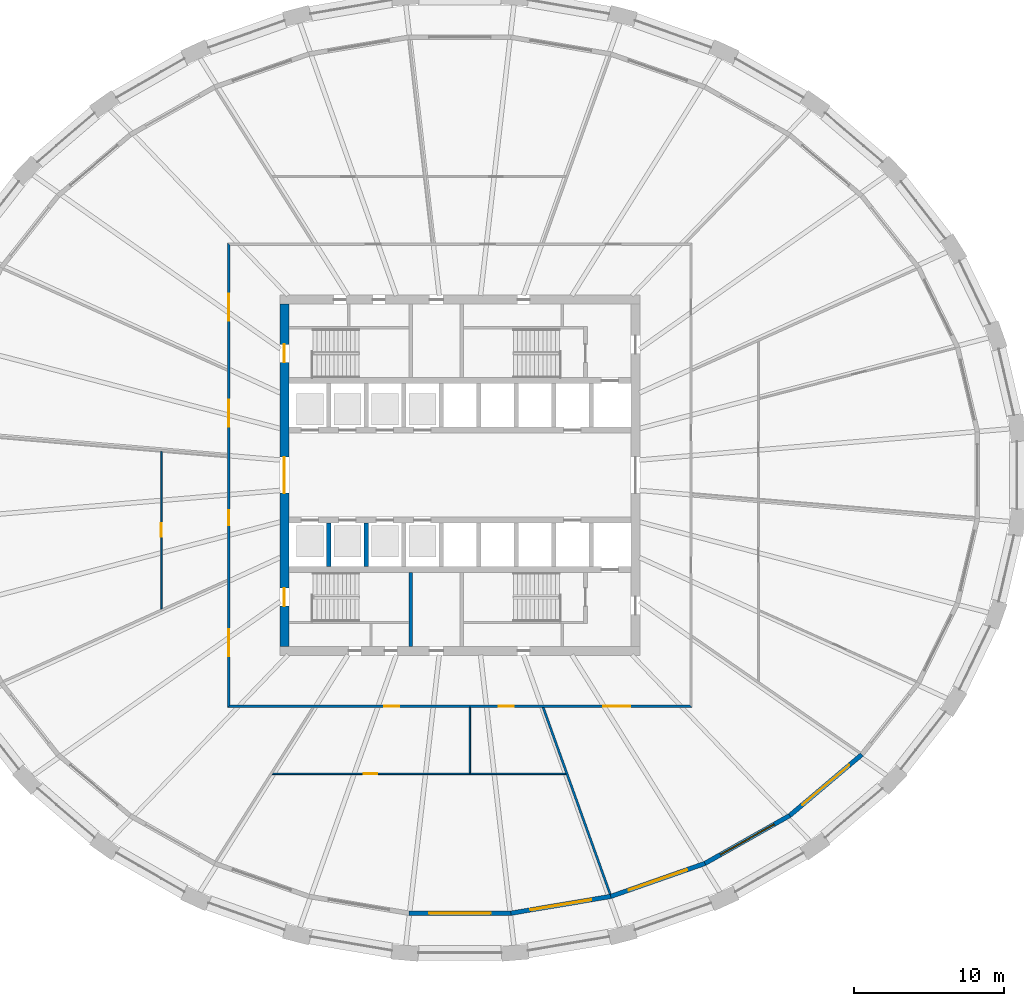
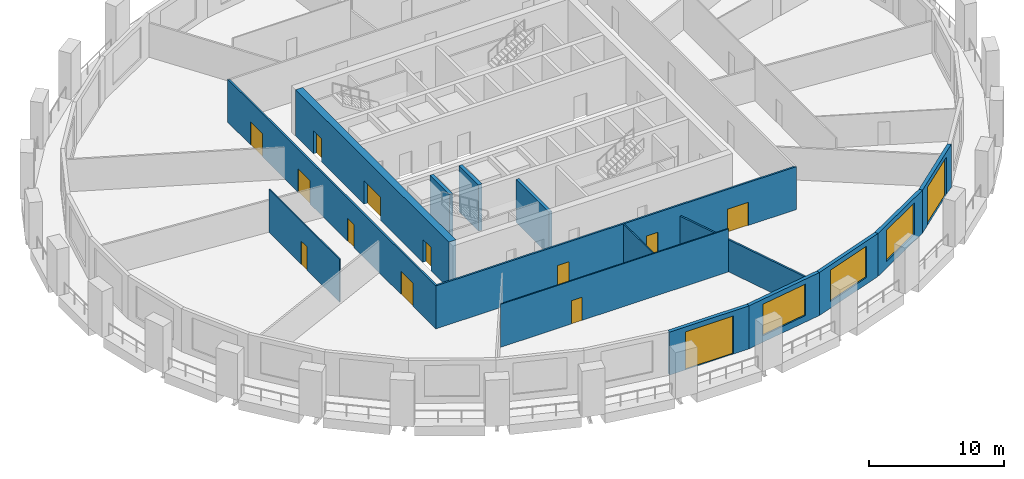
# One storey, part 3 of 10: 15 walls, 14 doors, 3 windows, 17 openings.
"""IFC4 building model written with IfcOpenShell, lengths in metres."""

from ifc_helpers import new_model, si_unit, direction, frame, frame_2d, origin, place, context, subcontext, project, spatial, polyline, rectangle, outline, extrude, material, layer, layer_set, type_object, element, fill, save


model = new_model("IFC4")

# Units and contexts
model_context = context("Model", 3, precision=1e-05, world=origin(), true_north=direction((0.0, 1.0)))
body_context = subcontext(model_context, "Body", "Model", "MODEL_VIEW")
ifc_project = project(units=[si_unit("LENGTHUNIT", "METRE"), si_unit("AREAUNIT", "SQUARE_METRE"), si_unit("VOLUMEUNIT", "CUBIC_METRE"), si_unit("PLANEANGLEUNIT", "RADIAN"), si_unit("MASSUNIT", "GRAM", prefix="KILO")], contexts=[model_context])

# Site, building, storey
site_placement = place(None, origin())
site = spatial("IfcSite", under=ifc_project, at=site_placement, CompositionType="ELEMENT")
building_placement = place(site_placement, origin())
building = spatial("IfcBuilding", under=site, at=building_placement, Name="Halqa Exchange Tower", CompositionType="ELEMENT")
storey_placement = place(building_placement, frame((0.0, 0.0, 52.89990234375)))
storey = spatial("IfcBuildingStorey", under=building, at=storey_placement, Name="L11", CompositionType="ELEMENT", Elevation=52.89990234375)

# Wall, openings, doors
ifc_material_1 = material(Name="Fire-rated gypsum board")
ifc_layer_1 = layer(ifc_material_1, 0.14990234375)
ifc_layer_set_1 = layer_set([ifc_layer_1], Name="Fire-rated gypsum board")
wall_type_1 = type_object("IfcWallType", Name="Fire partition EI 60 150", PredefinedType="PARTITIONING", material=ifc_layer_set_1)
wall_1_placement = place(storey_placement, frame((-15.39990234375, -15.47509765625, 0.0), z_axis=(0.0, 0.0, 1.0), x_axis=(0.0, 1.0, 0.0)))
wall_1 = element("IfcWall", 1, at=wall_1_placement, inside=storey, type_object=wall_type_1, Name="L11-PWL-006", PredefinedType="PARTITIONING", context=body_context, shape_type="SweptSolid", body=[
    extrude(outline(polyline([(0.150146484375, -0.074951171875), (2.065673828125, -0.074951171875), (3.9814453125, -0.074951171875), (5.89697265625, -0.074951171875), (7.8125, -0.074951171875), (9.728271484375, -0.074951171875), (11.643798828125, -0.074951171875), (13.5595703125, -0.074951171875), (15.47509765625, -0.074951171875), (17.390625, -0.074951171875), (19.306396484375, -0.074951171875), (21.221923828125, -0.074951171875), (23.1376953125, -0.074951171875), (25.05322265625, -0.074951171875), (26.96875, -0.074951171875), (28.884521484375, -0.074951171875), (30.800048828125, -0.074951171875), (30.949951171875, 0.074951171875), (29.015625, 0.074951171875), (27.081298828125, 0.074951171875), (25.14697265625, 0.074951171875), (23.21240234375, 0.074951171875), (21.278076171875, 0.074951171875), (19.34375, 0.074951171875), (17.409423828125, 0.074951171875), (15.47509765625, 0.074951171875), (13.540771484375, 0.074951171875), (11.6064453125, 0.074951171875), (9.672119140625, 0.074951171875), (7.73779296875, 0.074951171875), (5.80322265625, 0.074951171875), (3.868896484375, 0.074951171875), (1.9345703125, 0.074951171875), (0.000244140625, 0.074951171875), (0.150146484375, -0.074951171875)])), origin(), (0.0, 0.0, 1.0), 3.900146484375),
])
opening_1_placement = place(wall_1_placement, frame((25.7548828125, 0.0, 0.0)))
opening_1 = element("IfcOpeningElement", 2, at=opening_1_placement, cuts=wall_1, Name="Opening 03-03", PredefinedType="OPENING", context=body_context, shape_type="SweptSolid", body=[
    extrude(rectangle(XDim=1.800048828125, YDim=2.10009765625, at=frame_2d((0.89990234375, 1.050048828125))), frame((0.0, 0.0869140625, 0.0), z_axis=(0.0, -1.0, 0.0), x_axis=(1.0, 0.0, 0.0)), (0.0, 0.0, 1.0), 0.173828125),
])
opening_2_placement = place(wall_1_placement, frame((18.695068359375, 0.0, 0.0)))
opening_2 = element("IfcOpeningElement", 3, at=opening_2_placement, cuts=wall_1, Name="Opening 03-04", PredefinedType="OPENING", context=body_context, shape_type="SweptSolid", body=[
    extrude(rectangle(XDim=1.800048828125, YDim=2.10009765625, at=frame_2d((0.89990234375, 1.050048828125))), frame((0.0, 0.0869140625, 0.0), z_axis=(0.0, -1.0, 0.0), x_axis=(1.0, 0.0, 0.0)), (0.0, 0.0, 1.0), 0.173828125),
])
opening_3_placement = place(wall_1_placement, frame((12.135009765625, 0.0, 0.0)))
opening_3 = element("IfcOpeningElement", 4, at=opening_3_placement, cuts=wall_1, Name="Opening 03-05", PredefinedType="OPENING", context=body_context, shape_type="SweptSolid", body=[
    extrude(rectangle(XDim=1.0, YDim=2.10009765625, at=frame_2d((0.5, 1.050048828125))), frame((0.0, 0.0869140625, 0.0), z_axis=(0.0, -1.0, 0.0), x_axis=(1.0, 0.0, 0.0)), (0.0, 0.0, 1.0), 0.173828125),
])
opening_4_placement = place(wall_1_placement, frame((3.39501953125, 0.0, 0.0)))
opening_4 = element("IfcOpeningElement", 5, at=opening_4_placement, cuts=wall_1, Name="Opening 03-06", PredefinedType="OPENING", context=body_context, shape_type="SweptSolid", body=[
    extrude(rectangle(XDim=1.800048828125, YDim=2.10009765625, at=frame_2d((0.89990234375, 1.050048828125))), frame((0.0, 0.0869140625, 0.0), z_axis=(0.0, -1.0, 0.0), x_axis=(1.0, 0.0, 0.0)), (0.0, 0.0, 1.0), 0.173828125),
])
ifc_material_2 = material(Name="Steel fire door leaf", Category="steel")
door_type_1 = type_object("IfcDoorType", Name="Fire door FD30S 1000 x 2100", OperationType="SINGLE_SWING_LEFT", PredefinedType="DOOR", material=ifc_material_2)
door_1_placement = place(opening_3_placement, origin())
door_1 = element("IfcDoor", 6, at=door_1_placement, inside=storey, type_object=door_type_1, Name="L11-IDR-005", OperationType="SINGLE_SWING_LEFT", OverallHeight=2.10009765625, OverallWidth=1.0, PredefinedType="DOOR", context=body_context, shape_type="SweptSolid", body=[
    extrude(rectangle(XDim=1.0, YDim=2.10009765625, at=frame_2d((0.5, 1.050048828125))), frame((0.0, 0.02490234375, 0.0), z_axis=(0.0, -1.0, 0.0), x_axis=(1.0, 0.0, 0.0)), (0.0, 0.0, 1.0), 0.050048828125),
])
fill(opening_3, door_1)
door_type_2 = type_object("IfcDoorType", Name="Fire door FD30S double 1800 x 2100", OperationType="DOUBLE_DOOR_SINGLE_SWING", PredefinedType="DOOR", material=ifc_material_2)
door_2_placement = place(opening_1_placement, origin())
door_2 = element("IfcDoor", 7, at=door_2_placement, inside=storey, type_object=door_type_2, Name="L11-IDR-003", OperationType="DOUBLE_DOOR_SINGLE_SWING", OverallHeight=2.10009765625, OverallWidth=1.800048828125, PredefinedType="DOOR", context=body_context, shape_type="SweptSolid", body=[
    extrude(rectangle(XDim=1.800048828125, YDim=2.10009765625, at=frame_2d((0.89990234375, 1.050048828125))), frame((0.0, 0.02490234375, 0.0), z_axis=(0.0, -1.0, 0.0), x_axis=(1.0, 0.0, 0.0)), (0.0, 0.0, 1.0), 0.050048828125),
])
fill(opening_1, door_2)
door_3_placement = place(opening_2_placement, origin())
door_3 = element("IfcDoor", 8, at=door_3_placement, inside=storey, type_object=door_type_2, Name="L11-IDR-004", OperationType="DOUBLE_DOOR_SINGLE_SWING", OverallHeight=2.10009765625, OverallWidth=1.800048828125, PredefinedType="DOOR", context=body_context, shape_type="SweptSolid", body=[
    extrude(rectangle(XDim=1.800048828125, YDim=2.10009765625, at=frame_2d((0.89990234375, 1.050048828125))), frame((0.0, 0.02490234375, 0.0), z_axis=(0.0, -1.0, 0.0), x_axis=(1.0, 0.0, 0.0)), (0.0, 0.0, 1.0), 0.050048828125),
])
fill(opening_2, door_3)
door_4_placement = place(opening_4_placement, origin())
door_4 = element("IfcDoor", 9, at=door_4_placement, inside=storey, type_object=door_type_2, Name="L11-IDR-006", OperationType="DOUBLE_DOOR_SINGLE_SWING", OverallHeight=2.10009765625, OverallWidth=1.800048828125, PredefinedType="DOOR", context=body_context, shape_type="SweptSolid", body=[
    extrude(rectangle(XDim=1.800048828125, YDim=2.10009765625, at=frame_2d((0.89990234375, 1.050048828125))), frame((0.0, 0.02490234375, 0.0), z_axis=(0.0, -1.0, 0.0), x_axis=(1.0, 0.0, 0.0)), (0.0, 0.0, 1.0), 0.050048828125),
])
fill(opening_4, door_4)

wall_2_placement = place(storey_placement, frame((-15.47509765625, -15.39990234375, 0.0), z_axis=(0.0, 0.0, 1.0), x_axis=(1.0, 0.0, 0.0)))
wall_2 = element("IfcWall", 10, at=wall_2_placement, inside=storey, type_object=wall_type_1, Name="L11-PWL-007", PredefinedType="PARTITIONING", context=body_context, shape_type="SweptSolid", body=[
    extrude(outline(polyline([(0.000244140625, -0.074951171875), (1.9345703125, -0.074951171875), (3.868896484375, -0.074951171875), (5.80322265625, -0.074951171875), (7.73779296875, -0.074951171875), (9.672119140625, -0.074951171875), (11.6064453125, -0.074951171875), (13.540771484375, -0.074951171875), (15.47509765625, -0.074951171875), (17.409423828125, -0.074951171875), (19.34375, -0.074951171875), (21.278076171875, -0.074951171875), (23.21240234375, -0.074951171875), (25.14697265625, -0.074951171875), (27.081298828125, -0.074951171875), (29.015625, -0.074951171875), (30.949951171875, -0.074951171875), (30.800048828125, 0.074951171875), (28.884521484375, 0.074951171875), (26.96875, 0.074951171875), (25.05322265625, 0.074951171875), (23.1376953125, 0.074951171875), (21.221923828125, 0.074951171875), (19.306396484375, 0.074951171875), (17.390625, 0.074951171875), (15.47509765625, 0.074951171875), (13.5595703125, 0.074951171875), (11.643798828125, 0.074951171875), (9.728271484375, 0.074951171875), (7.8125, 0.074951171875), (5.89697265625, 0.074951171875), (3.9814453125, 0.074951171875), (2.065673828125, 0.074951171875), (0.150146484375, 0.074951171875), (0.000244140625, -0.074951171875)])), origin(), (0.0, 0.0, 1.0), 3.900146484375),
])
opening_5_placement = place(wall_2_placement, frame((10.445068359375, 0.0, 0.0)))
opening_5 = element("IfcOpeningElement", 11, at=opening_5_placement, cuts=wall_2, Name="Opening 03-07", PredefinedType="OPENING", context=body_context, shape_type="SweptSolid", body=[
    extrude(rectangle(XDim=1.0, YDim=2.10009765625, at=frame_2d((0.5, 1.050048828125))), frame((0.0, 0.0869140625, 0.0), z_axis=(0.0, -1.0, 0.0), x_axis=(1.0, 0.0, 0.0)), (0.0, 0.0, 1.0), 0.173828125),
])
opening_6_placement = place(wall_2_placement, frame((18.070068359375, 0.0, 0.0)))
opening_6 = element("IfcOpeningElement", 12, at=opening_6_placement, cuts=wall_2, Name="Opening 03-08", PredefinedType="OPENING", context=body_context, shape_type="SweptSolid", body=[
    extrude(rectangle(XDim=1.0, YDim=2.10009765625, at=frame_2d((0.5, 1.050048828125))), frame((0.0, 0.0869140625, 0.0), z_axis=(0.0, -1.0, 0.0), x_axis=(1.0, 0.0, 0.0)), (0.0, 0.0, 1.0), 0.173828125),
])
opening_7_placement = place(wall_2_placement, frame((25.034912109375, 0.0, 0.0)))
opening_7 = element("IfcOpeningElement", 13, at=opening_7_placement, cuts=wall_2, Name="Opening 03-09", PredefinedType="OPENING", context=body_context, shape_type="SweptSolid", body=[
    extrude(rectangle(XDim=1.800048828125, YDim=2.10009765625, at=frame_2d((0.89990234375, 1.050048828125))), frame((0.0, 0.0869140625, 0.0), z_axis=(0.0, -1.0, 0.0), x_axis=(1.0, 0.0, 0.0)), (0.0, 0.0, 1.0), 0.173828125),
])
door_5_placement = place(opening_5_placement, frame((1.0, 0.0, 0.0), z_axis=(0.0, 0.0, 1.0), x_axis=(-1.0, 0.0, 0.0)))
door_5 = element("IfcDoor", 14, at=door_5_placement, inside=storey, type_object=door_type_1, Name="L11-IDR-007", OperationType="SINGLE_SWING_RIGHT", OverallHeight=2.10009765625, OverallWidth=1.0, PredefinedType="DOOR", context=body_context, shape_type="SweptSolid", body=[
    extrude(rectangle(XDim=1.0, YDim=2.10009765625, at=frame_2d((0.5, 1.050048828125))), frame((0.0, 0.02490234375, 0.0), z_axis=(0.0, -1.0, 0.0), x_axis=(1.0, 0.0, 0.0)), (0.0, 0.0, 1.0), 0.050048828125),
])
fill(opening_5, door_5)
door_6_placement = place(opening_6_placement, frame((1.0, 0.0, 0.0), z_axis=(0.0, 0.0, 1.0), x_axis=(-1.0, 0.0, 0.0)))
door_6 = element("IfcDoor", 15, at=door_6_placement, inside=storey, type_object=door_type_1, Name="L11-IDR-008", OperationType="SINGLE_SWING_LEFT", OverallHeight=2.10009765625, OverallWidth=1.0, PredefinedType="DOOR", context=body_context, shape_type="SweptSolid", body=[
    extrude(rectangle(XDim=1.0, YDim=2.10009765625, at=frame_2d((0.5, 1.050048828125))), frame((0.0, 0.02490234375, 0.0), z_axis=(0.0, -1.0, 0.0), x_axis=(1.0, 0.0, 0.0)), (0.0, 0.0, 1.0), 0.050048828125),
])
fill(opening_6, door_6)
door_7_placement = place(opening_7_placement, frame((1.800048828125, 0.0, 0.0), z_axis=(0.0, 0.0, 1.0), x_axis=(-1.0, 0.0, 0.0)))
door_7 = element("IfcDoor", 16, at=door_7_placement, inside=storey, type_object=door_type_2, Name="L11-IDR-009", OperationType="DOUBLE_DOOR_SINGLE_SWING", OverallHeight=2.10009765625, OverallWidth=1.800048828125, PredefinedType="DOOR", context=body_context, shape_type="SweptSolid", body=[
    extrude(rectangle(XDim=1.800048828125, YDim=2.10009765625, at=frame_2d((0.89990234375, 1.050048828125))), frame((0.0, 0.02490234375, 0.0), z_axis=(0.0, -1.0, 0.0), x_axis=(1.0, 0.0, 0.0)), (0.0, 0.0, 1.0), 0.050048828125),
])
fill(opening_7, door_7)

# Wall
wall_3_placement = place(storey_placement, frame((5.537841796875, -15.449951171875, 0.0), z_axis=(0.0, 0.0, 1.0), x_axis=(0.337991057854, -0.941149321208, 0.0)))
element("IfcWall", 17, at=wall_3_placement, inside=storey, type_object=wall_type_1, Name="L11-PWL-015", PredefinedType="PARTITIONING", context=body_context, shape_type="SweptSolid", body=[
    extrude(outline(polyline([(0.0, -0.074951171875), (1.54931640625, -0.074951171875), (3.098876953125, -0.074951171875), (4.648193359375, -0.074951171875), (4.660400390625, -0.04150390625), (4.753662109375, -0.074951171875), (6.451904296875, -0.074951171875), (8.150146484375, -0.074951171875), (9.8486328125, -0.074951171875), (11.546875, -0.074951171875), (13.2451171875, -0.074951171875), (13.2587890625, 0.000244140625), (13.259033203125, 0.040771484375), (13.259033203125, 0.074951171875), (11.37255859375, 0.074951171875), (9.486083984375, 0.074951171875), (7.599609375, 0.074951171875), (5.713134765625, 0.074951171875), (3.826416015625, 0.074951171875), (1.93994140625, 0.074951171875), (0.053466796875, 0.074951171875), (0.0, -0.07421875), (0.0, -0.074951171875)])), origin(), (0.0, 0.0, 1.0), 2.91015625),
])

# Wall, opening, door
ifc_material_3 = material(Name="Gypsum board")
ifc_layer_2 = layer(ifc_material_3, 0.10009765625)
ifc_layer_set_2 = layer_set([ifc_layer_2], Name="Gypsum board")
wall_type_2 = type_object("IfcWallType", Name="Partition 100 gypsum", PredefinedType="PARTITIONING", material=ifc_layer_set_2)
wall_4_placement = place(storey_placement, frame((-19.89990234375, -8.9326171875, 0.0), z_axis=(0.0, 0.0, 1.0), x_axis=(0.0, 1.0, 0.0)))
wall_4 = element("IfcWall", 18, at=wall_4_placement, inside=storey, type_object=wall_type_2, Name="L11-PWL-003", PredefinedType="PARTITIONING", context=body_context, shape_type="SweptSolid", body=[
    extrude(outline(polyline([(0.044921875, -0.050048828125), (1.7890625, -0.050048828125), (3.533203125, -0.050048828125), (5.27734375, -0.050048828125), (7.021240234375, -0.050048828125), (8.765380859375, -0.050048828125), (10.509521484375, -0.050048828125), (10.517578125, 0.045654296875), (10.517578125, 0.050048828125), (8.7646484375, 0.050048828125), (7.01171875, 0.050048828125), (5.2587890625, 0.050048828125), (3.505859375, 0.050048828125), (1.7529296875, 0.050048828125), (0.0, 0.050048828125), (0.0, 0.049560546875), (0.044921875, -0.050048828125)])), origin(), (0.0, 0.0, 1.0), 3.900146484375),
])
opening_8_placement = place(wall_4_placement, frame((4.8173828125, 0.0, 0.0)))
opening_8 = element("IfcOpeningElement", 19, at=opening_8_placement, cuts=wall_4, Name="Opening 03-16", PredefinedType="OPENING", context=body_context, shape_type="SweptSolid", body=[
    extrude(rectangle(XDim=0.89990234375, YDim=2.10009765625, at=frame_2d((0.449951171875, 1.050048828125))), frame((0.0, 0.06201171875, 0.0), z_axis=(0.0, -1.0, 0.0), x_axis=(1.0, 0.0, 0.0)), (0.0, 0.0, 1.0), 0.1240234375),
])
ifc_material_4 = material(Name="Timber door leaf", Category="wood")
door_type_3 = type_object("IfcDoorType", Name="Door 900 x 2100", OperationType="SINGLE_SWING_LEFT", PredefinedType="DOOR", material=ifc_material_4)
door_8_placement = place(opening_8_placement, frame((0.89990234375, 0.0, 0.0), z_axis=(0.0, 0.0, 1.0), x_axis=(-1.0, 0.0, 0.0)))
door_8 = element("IfcDoor", 20, at=door_8_placement, inside=storey, type_object=door_type_3, Name="L11-IDR-016", OperationType="SINGLE_SWING_LEFT", OverallHeight=2.10009765625, OverallWidth=0.89990234375, PredefinedType="DOOR", context=body_context, shape_type="SweptSolid", body=[
    extrude(rectangle(XDim=0.89990234375, YDim=2.10009765625, at=frame_2d((0.449951171875, 1.050048828125))), frame((0.0, 0.02490234375, 0.0), z_axis=(0.0, -1.0, 0.0), x_axis=(1.0, 0.0, 0.0)), (0.0, 0.0, 1.0), 0.050048828125),
])
fill(opening_8, door_8)

wall_5_placement = place(storey_placement, frame((-12.51953125, -19.89990234375, 0.0), z_axis=(0.0, 0.0, 1.0), x_axis=(1.0, 0.0, 0.0)))
wall_5 = element("IfcWall", 21, at=wall_5_placement, inside=storey, type_object=wall_type_2, Name="L11-PWL-010", PredefinedType="PARTITIONING", context=body_context, shape_type="SweptSolid", body=[
    extrude(outline(polyline([(19.593505859375, -0.050048828125), (19.593505859375, -0.04931640625), (19.557861328125, 0.050048828125), (17.978271484375, 0.050048828125), (16.398681640625, 0.050048828125), (14.819091796875, 0.050048828125), (13.239501953125, 0.050048828125), (13.239501953125, 0.0498046875), (13.1396484375, 0.0498046875), (13.1396484375, 0.050048828125), (11.271484375, 0.050048828125), (9.4033203125, 0.050048828125), (7.53515625, 0.050048828125), (5.667236328125, 0.050048828125), (3.799072265625, 0.050048828125), (1.930908203125, 0.050048828125), (0.06298828125, 0.050048828125), (0.0, -0.049560546875), (0.0, -0.050048828125), (1.95947265625, -0.050048828125), (3.918701171875, -0.050048828125), (5.8779296875, -0.050048828125), (7.83740234375, -0.050048828125), (9.796875, -0.050048828125), (11.756103515625, -0.050048828125), (13.71533203125, -0.050048828125), (15.6748046875, -0.050048828125), (17.63427734375, -0.050048828125), (19.593505859375, -0.050048828125)])), origin(), (0.0, 0.0, 1.0), 3.900146484375),
])
opening_9_placement = place(wall_5_placement, frame((6.114501953125, 0.0, 0.0)))
opening_9 = element("IfcOpeningElement", 22, at=opening_9_placement, cuts=wall_5, Name="Opening 03-17", PredefinedType="OPENING", context=body_context, shape_type="SweptSolid", body=[
    extrude(rectangle(XDim=0.89990234375, YDim=2.10009765625, at=frame_2d((0.449951171875, 1.050048828125))), frame((0.0, 0.06201171875, 0.0), z_axis=(0.0, -1.0, 0.0), x_axis=(1.0, 0.0, 0.0)), (0.0, 0.0, 1.0), 0.1240234375),
])
door_9_placement = place(opening_9_placement, origin())
door_9 = element("IfcDoor", 23, at=door_9_placement, inside=storey, type_object=door_type_3, Name="L11-IDR-017", OperationType="SINGLE_SWING_RIGHT", OverallHeight=2.10009765625, OverallWidth=0.89990234375, PredefinedType="DOOR", context=body_context, shape_type="SweptSolid", body=[
    extrude(rectangle(XDim=0.89990234375, YDim=2.10009765625, at=frame_2d((0.449951171875, 1.050048828125))), frame((0.0, 0.02490234375, 0.0), z_axis=(0.0, -1.0, 0.0), x_axis=(1.0, 0.0, 0.0)), (0.0, 0.0, 1.0), 0.050048828125),
])
fill(opening_9, door_9)

# Walls
wall_6_placement = place(storey_placement, frame((0.669921875, -15.47509765625, 0.0), z_axis=(0.0, 0.0, 1.0), x_axis=(0.0, -1.0, 0.0)))
element("IfcWall", 24, at=wall_6_placement, inside=storey, type_object=wall_type_2, Name="L11-PWL-014", PredefinedType="PARTITIONING", context=body_context, shape_type="SweptSolid", body=[
    extrude(rectangle(XDim=4.375, YDim=0.10009765625, at=frame_2d((2.1875, 0.0))), origin(), (0.0, 0.0, 1.0), 3.900146484375),
])
ifc_material_5 = material(Name="Concrete C60/75", Category="concrete")
ifc_layer_3 = layer(ifc_material_5, 0.300048828125)
ifc_layer_set_3 = layer_set([ifc_layer_3], Name="Concrete C60/75")
wall_type_3 = type_object("IfcWallType", Name="RC core wall 300", PredefinedType="SHEAR", material=ifc_layer_set_3)
for number, where, z_axis, x_axis, name in (
    (25, (-8.75, -6.10009765625, 0.0), (0.0, 0.0, 1.0), (0.0, 1.0, 0.0), "Shaft divider S1"),
    (26, (-6.25, -6.10009765625, 0.0), (0.0, 0.0, 1.0), (0.0, 1.0, 0.0), "Shaft divider S2"),
):
    element("IfcWall", number, at=place(storey_placement, frame(where, z_axis=z_axis, x_axis=x_axis)), inside=storey, type_object=wall_type_3, Name=name, PredefinedType="SHEAR", context=body_context, shape_type="SweptSolid", body=[
        extrude(rectangle(XDim=2.900146484375, YDim=0.300048828125, at=frame_2d((1.4501953125, 0.0))), origin(), (0.0, 0.0, 1.0), 4.2001953125),
    ])

# Wall, openings, doors
ifc_material_6 = material(Name="Concrete C80/95", Category="concrete")
ifc_layer_4 = layer(ifc_material_6, 0.60009765625)
ifc_layer_set_4 = layer_set([ifc_layer_4], Name="Concrete C80/95")
wall_type_4 = type_object("IfcWallType", Name="RC core wall 600 C80/95", PredefinedType="SHEAR", material=ifc_layer_set_4)
wall_7_placement = place(storey_placement, frame((-11.699951171875, -11.39990234375, 0.0), z_axis=(0.0, 0.0, 1.0), x_axis=(0.0, 1.0, 0.0)))
wall_7 = element("IfcWall", 27, at=wall_7_placement, inside=storey, type_object=wall_type_4, Name="Core wall west", PredefinedType="SHEAR", context=body_context, shape_type="SweptSolid", body=[
    extrude(rectangle(XDim=22.7998046875, YDim=0.60009765625, at=frame_2d((11.39990234375, 0.0))), origin(), (0.0, 0.0, 1.0), 4.2001953125),
])
opening_10_placement = place(wall_7_placement, frame((10.199951171875, 0.0, 0.0)))
opening_10 = element("IfcOpeningElement", 28, at=opening_10_placement, cuts=wall_7, Name="Opening T03-C13", PredefinedType="OPENING", context=body_context, shape_type="SweptSolid", body=[
    extrude(rectangle(XDim=2.39990234375, YDim=2.10009765625, at=frame_2d((1.199951171875, 1.050048828125))), frame((0.0, 0.31201171875, 0.0), z_axis=(0.0, -1.0, 0.0), x_axis=(1.0, 0.0, 0.0)), (0.0, 0.0, 1.0), 0.6240234375),
])
opening_11_placement = place(wall_7_placement, frame((18.925048828125, 0.0, 0.0)))
opening_11 = element("IfcOpeningElement", 29, at=opening_11_placement, cuts=wall_7, Name="Opening T03-C15", PredefinedType="OPENING", context=body_context, shape_type="SweptSolid", body=[
    extrude(rectangle(XDim=1.199951171875, YDim=2.10009765625, at=frame_2d((0.60009765625, 1.050048828125))), frame((0.0, 0.31201171875, 0.0), z_axis=(0.0, -1.0, 0.0), x_axis=(1.0, 0.0, 0.0)), (0.0, 0.0, 1.0), 0.6240234375),
])
opening_12_placement = place(wall_7_placement, frame((2.675048828125, 0.0, 0.0)))
opening_12 = element("IfcOpeningElement", 30, at=opening_12_placement, cuts=wall_7, Name="Opening T03-C17", PredefinedType="OPENING", context=body_context, shape_type="SweptSolid", body=[
    extrude(rectangle(XDim=1.199951171875, YDim=2.10009765625, at=frame_2d((0.60009765625, 1.050048828125))), frame((0.0, 0.31201171875, 0.0), z_axis=(0.0, -1.0, 0.0), x_axis=(1.0, 0.0, 0.0)), (0.0, 0.0, 1.0), 0.6240234375),
])
door_type_4 = type_object("IfcDoorType", Name="Lobby double door FD60 2400 x 2100", OperationType="DOUBLE_DOOR_SINGLE_SWING", PredefinedType="DOOR", material=ifc_material_2)
door_10_placement = place(opening_10_placement, frame((2.39990234375, 0.0, 0.0), z_axis=(0.0, 0.0, 1.0), x_axis=(-1.0, 0.0, 0.0)))
door_10 = element("IfcDoor", 31, at=door_10_placement, inside=storey, type_object=door_type_4, Name="Lift lobby double door", OperationType="DOUBLE_DOOR_SINGLE_SWING", OverallHeight=2.10009765625, OverallWidth=2.39990234375, PredefinedType="DOOR", context=body_context, shape_type="SweptSolid", body=[
    extrude(rectangle(XDim=2.39990234375, YDim=2.10009765625, at=frame_2d((1.199951171875, 1.050048828125))), frame((0.0, 0.02490234375, 0.0), z_axis=(0.0, -1.0, 0.0), x_axis=(1.0, 0.0, 0.0)), (0.0, 0.0, 1.0), 0.050048828125),
])
fill(opening_10, door_10)
door_type_5 = type_object("IfcDoorType", Name="Stair door FD90 1200 x 2100", OperationType="SINGLE_SWING_LEFT", PredefinedType="DOOR", material=ifc_material_2)
door_11_placement = place(opening_11_placement, frame((1.199951171875, 0.0, 0.0), z_axis=(0.0, 0.0, 1.0), x_axis=(-1.0, 0.0, 0.0)))
door_11 = element("IfcDoor", 32, at=door_11_placement, inside=storey, type_object=door_type_5, Name="Stair door ST1", OperationType="SINGLE_SWING_LEFT", OverallHeight=2.10009765625, OverallWidth=1.199951171875, PredefinedType="DOOR", context=body_context, shape_type="SweptSolid", body=[
    extrude(rectangle(XDim=1.199951171875, YDim=2.10009765625, at=frame_2d((0.60009765625, 1.050048828125))), frame((0.0, 0.02490234375, 0.0), z_axis=(0.0, -1.0, 0.0), x_axis=(1.0, 0.0, 0.0)), (0.0, 0.0, 1.0), 0.050048828125),
])
fill(opening_11, door_11)
door_12_placement = place(opening_12_placement, frame((1.199951171875, 0.0, 0.0), z_axis=(0.0, 0.0, 1.0), x_axis=(-1.0, 0.0, 0.0)))
door_12 = element("IfcDoor", 33, at=door_12_placement, inside=storey, type_object=door_type_5, Name="Stair door ST3", OperationType="SINGLE_SWING_LEFT", OverallHeight=2.10009765625, OverallWidth=1.199951171875, PredefinedType="DOOR", context=body_context, shape_type="SweptSolid", body=[
    extrude(rectangle(XDim=1.199951171875, YDim=2.10009765625, at=frame_2d((0.60009765625, 1.050048828125))), frame((0.0, 0.02490234375, 0.0), z_axis=(0.0, -1.0, 0.0), x_axis=(1.0, 0.0, 0.0)), (0.0, 0.0, 1.0), 0.050048828125),
])
fill(opening_12, door_12)

# Wall
ifc_material_7 = material(Name="Concrete C30/37", Category="concrete")
ifc_layer_5 = layer(ifc_material_7, 0.25)
ifc_layer_set_5 = layer_set([ifc_layer_5], Name="Concrete C30/37")
wall_type_5 = type_object("IfcWallType", Name="RC stair wall 250 C30/37", PredefinedType="SHEAR", material=ifc_layer_set_5)
wall_8_placement = place(storey_placement, frame((-3.27490234375, -11.39990234375, 0.0), z_axis=(0.0, 0.0, 1.0), x_axis=(0.0, 1.0, 0.0)))
element("IfcWall", 34, at=wall_8_placement, inside=storey, type_object=wall_type_5, Name="Stair ST1 east wall S", PredefinedType="SHEAR", context=body_context, shape_type="SweptSolid", body=[
    extrude(rectangle(XDim=4.89990234375, YDim=0.25, at=frame_2d((2.449951171875, 0.0))), origin(), (0.0, 0.0, 1.0), 3.900146484375),
])

# Wall, opening, door
ifc_material_8 = material(Name="Limestone cladding", Category="masonry")
ifc_layer_6 = layer(ifc_material_8, 0.0400390625)
ifc_material_9 = material(Name="Ventilated cavity")
ifc_layer_7 = layer(ifc_material_9, 0.030029296875, ventilated=True)
ifc_material_10 = material(Name="Mineral wool insulation")
ifc_layer_8 = layer(ifc_material_10, 0.10009765625)
ifc_layer_9 = layer(ifc_material_7, 0.10009765625)
ifc_material_11 = material(Name="Internal plaster")
ifc_layer_10 = layer(ifc_material_11, 0.030029296875)
ifc_layer_set_6 = layer_set([ifc_layer_6, ifc_layer_7, ifc_layer_8, ifc_layer_9, ifc_layer_10], Name="Stone-faced insulated wall 300")
wall_type_6 = type_object("IfcWallType", Name="Stone-faced insulated wall 300", PredefinedType="STANDARD", material=ifc_layer_set_6)
wall_9_placement = place(storey_placement, frame((-3.3955078125, -29.194580078125, 0.0), z_axis=(0.0, 0.0, 1.0), x_axis=(1.0, 0.0, 0.0)))
wall_9 = element("IfcWall", 35, at=wall_9_placement, inside=storey, type_object=wall_type_6, Name="Glass-line wall 24", PredefinedType="STANDARD", context=body_context, shape_type="SweptSolid", body=[
    extrude(outline(polyline([(-0.012451171875, -0.14990234375), (6.803466796875, -0.14990234375), (6.778564453125, 0.14990234375), (0.012451171875, 0.14990234375), (-0.012451171875, -0.14990234375)])), origin(), (0.0, 0.0, 1.0), 3.900146484375),
])
opening_13_placement = place(wall_9_placement, frame((1.345703125, 0.0, 0.0)))
opening_13 = element("IfcOpeningElement", 36, at=opening_13_placement, cuts=wall_9, Name="Opening LG-F1-06", PredefinedType="OPENING", context=body_context, shape_type="SweptSolid", body=[
    extrude(rectangle(XDim=4.10009765625, YDim=3.449951171875, at=frame_2d((2.050048828125, 1.72509765625))), frame((0.0, 0.162109375, 0.0), z_axis=(0.0, -1.0, 0.0), x_axis=(1.0, 0.0, 0.0)), (0.0, 0.0, 1.0), 0.323974609375),
])
ifc_material_12 = material(Name="Clear low-emissivity glass in aluminium frame", Category="aluminium")
door_type_6 = type_object("IfcDoorType", Name="Glazed sliding loggia door 4100 x 3450", OperationType="DOUBLE_DOOR_SLIDING", PredefinedType="DOOR", material=ifc_material_12)
door_13_placement = place(opening_13_placement, origin())
door_13 = element("IfcDoor", 37, at=door_13_placement, inside=storey, type_object=door_type_6, Name="Loggia door 6", OperationType="DOUBLE_DOOR_SLIDING", OverallHeight=3.449951171875, OverallWidth=4.10009765625, PredefinedType="DOOR", context=body_context, shape_type="SweptSolid", body=[
    extrude(rectangle(XDim=4.10009765625, YDim=3.449951171875, at=frame_2d((2.050048828125, 1.72509765625))), frame((0.0, 0.02490234375, 0.0), z_axis=(0.0, -1.0, 0.0), x_axis=(1.0, 0.0, 0.0)), (0.0, 0.0, 1.0), 0.050048828125),
])
fill(opening_13, door_13)

# Wall, opening, window
wall_10_placement = place(storey_placement, frame((3.3955078125, -29.194580078125, 0.0), z_axis=(0.0, 0.0, 1.0), x_axis=(0.986149614624, 0.165858185139, 0.0)))
wall_10 = element("IfcWall", 38, at=wall_10_placement, inside=storey, type_object=wall_type_6, Name="Glass-line wall 25", PredefinedType="STANDARD", context=body_context, shape_type="SweptSolid", body=[
    extrude(outline(polyline([(-0.012451171875, -0.14990234375), (6.767578125, -0.14990234375), (6.7421875, 0.14990234375), (0.012451171875, 0.14990234375), (-0.012451171875, -0.14990234375)])), origin(), (0.0, 0.0, 1.0), 3.900146484375),
])
opening_14_placement = place(wall_10_placement, frame((1.327392578125, 0.0, 0.60009765625)))
opening_14 = element("IfcOpeningElement", 39, at=opening_14_placement, cuts=wall_10, Name="Opening W-F1-25", PredefinedType="OPENING", context=body_context, shape_type="SweptSolid", body=[
    extrude(rectangle(XDim=4.10009765625, YDim=2.85009765625, at=frame_2d((2.050048828125, 1.425048828125))), frame((0.0, 0.162109375, 0.0), z_axis=(0.0, -1.0, 0.0), x_axis=(1.0, 0.0, 0.0)), (0.0, 0.0, 1.0), 0.323974609375),
])
window_type = type_object("IfcWindowType", Name="Fixed clear glazed window 4100 x 2850", PartitioningType="TRIPLE_PANEL_VERTICAL", PredefinedType="WINDOW", material=ifc_material_12)
window_1_placement = place(opening_14_placement, origin())
window_1 = element("IfcWindow", 40, at=window_1_placement, inside=storey, type_object=window_type, Name="Window 1", OverallHeight=2.85009765625, OverallWidth=4.10009765625, PartitioningType="TRIPLE_PANEL_VERTICAL", PredefinedType="WINDOW", context=body_context, shape_type="SweptSolid", body=[
    extrude(rectangle(XDim=4.10009765625, YDim=2.85009765625, at=frame_2d((2.050048828125, 1.425048828125))), frame((0.0, 0.030029296875, 0.0), z_axis=(0.0, -1.0, 0.0), x_axis=(1.0, 0.0, 0.0)), (0.0, 0.0, 1.0), 0.06005859375),
])
fill(opening_14, window_1)

wall_11_placement = place(storey_placement, frame((10.056884765625, -28.07421875, 0.0), z_axis=(0.0, 0.0, 1.0), x_axis=(0.943790794479, 0.330543395421, 0.0)))
wall_11 = element("IfcWall", 41, at=wall_11_placement, inside=storey, type_object=wall_type_6, Name="Glass-line wall 26", PredefinedType="STANDARD", context=body_context, shape_type="SweptSolid", body=[
    extrude(outline(polyline([(-0.0126953125, -0.14990234375), (6.6630859375, -0.14990234375), (6.63623046875, 0.14990234375), (0.0126953125, 0.14990234375), (-0.0126953125, -0.14990234375)])), origin(), (0.0, 0.0, 1.0), 3.900146484375),
])
opening_15_placement = place(wall_11_placement, frame((1.27490234375, 0.0, 0.60009765625)))
opening_15 = element("IfcOpeningElement", 42, at=opening_15_placement, cuts=wall_11, Name="Opening W-F1-26", PredefinedType="OPENING", context=body_context, shape_type="SweptSolid", body=[
    extrude(rectangle(XDim=4.10009765625, YDim=2.85009765625, at=frame_2d((2.050048828125, 1.425048828125))), frame((0.0, 0.162109375, 0.0), z_axis=(0.0, -1.0, 0.0), x_axis=(1.0, 0.0, 0.0)), (0.0, 0.0, 1.0), 0.323974609375),
])
window_2_placement = place(opening_15_placement, origin())
window_2 = element("IfcWindow", 43, at=window_2_placement, inside=storey, type_object=window_type, Name="Window 1", OverallHeight=2.85009765625, OverallWidth=4.10009765625, PartitioningType="TRIPLE_PANEL_VERTICAL", PredefinedType="WINDOW", context=body_context, shape_type="SweptSolid", body=[
    extrude(rectangle(XDim=4.10009765625, YDim=2.85009765625, at=frame_2d((2.050048828125, 1.425048828125))), frame((0.0, 0.030029296875, 0.0), z_axis=(0.0, -1.0, 0.0), x_axis=(1.0, 0.0, 0.0)), (0.0, 0.0, 1.0), 0.06005859375),
])
fill(opening_15, window_2)

wall_12_placement = place(storey_placement, frame((16.332763671875, -25.876220703125, 0.0), z_axis=(0.0, 0.0, 1.0), x_axis=(0.870647609977, 0.491907246584, 0.0)))
wall_12 = element("IfcWall", 44, at=wall_12_placement, inside=storey, type_object=wall_type_6, Name="Glass-line wall 27", PredefinedType="STANDARD", context=body_context, shape_type="SweptSolid", body=[
    extrude(outline(polyline([(-0.013427734375, -0.14990234375), (6.50341796875, -0.14990234375), (6.47509765625, 0.14990234375), (0.013427734375, 0.14990234375), (-0.013427734375, -0.14990234375)])), origin(), (0.0, 0.0, 1.0), 3.900146484375),
])
opening_16_placement = place(wall_12_placement, frame((1.194580078125, 0.0, 0.60009765625)))
opening_16 = element("IfcOpeningElement", 45, at=opening_16_placement, cuts=wall_12, Name="Opening W-F1-27", PredefinedType="OPENING", context=body_context, shape_type="SweptSolid", body=[
    extrude(rectangle(XDim=4.10009765625, YDim=2.85009765625, at=frame_2d((2.050048828125, 1.425048828125))), frame((0.0, 0.162109375, 0.0), z_axis=(0.0, -1.0, 0.0), x_axis=(1.0, 0.0, 0.0)), (0.0, 0.0, 1.0), 0.323974609375),
])
window_3_placement = place(opening_16_placement, origin())
window_3 = element("IfcWindow", 46, at=window_3_placement, inside=storey, type_object=window_type, Name="Window 1", OverallHeight=2.85009765625, OverallWidth=4.10009765625, PartitioningType="TRIPLE_PANEL_VERTICAL", PredefinedType="WINDOW", context=body_context, shape_type="SweptSolid", body=[
    extrude(rectangle(XDim=4.10009765625, YDim=2.85009765625, at=frame_2d((2.050048828125, 1.425048828125))), frame((0.0, 0.030029296875, 0.0), z_axis=(0.0, -1.0, 0.0), x_axis=(1.0, 0.0, 0.0)), (0.0, 0.0, 1.0), 0.06005859375),
])
fill(opening_16, window_3)

# Wall, opening, door
wall_13_placement = place(storey_placement, frame((21.982666015625, -22.68408203125, 0.0), z_axis=(0.0, 0.0, 1.0), x_axis=(0.763614259808, 0.645672720671, 0.0)))
wall_13 = element("IfcWall", 47, at=wall_13_placement, inside=storey, type_object=wall_type_6, Name="Glass-line wall 28", PredefinedType="STANDARD", context=body_context, shape_type="SweptSolid", body=[
    extrude(outline(polyline([(-0.01416015625, -0.14990234375), (6.31005859375, -0.14990234375), (6.27978515625, 0.14990234375), (0.01416015625, 0.14990234375), (-0.01416015625, -0.14990234375)])), origin(), (0.0, 0.0, 1.0), 3.900146484375),
])
opening_17_placement = place(wall_13_placement, frame((1.097412109375, 0.0, 0.0)))
opening_17 = element("IfcOpeningElement", 48, at=opening_17_placement, cuts=wall_13, Name="Opening LG-F1-07", PredefinedType="OPENING", context=body_context, shape_type="SweptSolid", body=[
    extrude(rectangle(XDim=4.10009765625, YDim=3.449951171875, at=frame_2d((2.050048828125, 1.72509765625))), frame((0.0, 0.162109375, 0.0), z_axis=(0.0, -1.0, 0.0), x_axis=(1.0, 0.0, 0.0)), (0.0, 0.0, 1.0), 0.323974609375),
])
door_14_placement = place(opening_17_placement, origin())
door_14 = element("IfcDoor", 49, at=door_14_placement, inside=storey, type_object=door_type_6, Name="Loggia door 7", OperationType="DOUBLE_DOOR_SLIDING", OverallHeight=3.449951171875, OverallWidth=4.10009765625, PredefinedType="DOOR", context=body_context, shape_type="SweptSolid", body=[
    extrude(rectangle(XDim=4.10009765625, YDim=3.449951171875, at=frame_2d((2.050048828125, 1.72509765625))), frame((0.0, 0.02490234375, 0.0), z_axis=(0.0, -1.0, 0.0), x_axis=(1.0, 0.0, 0.0)), (0.0, 0.0, 1.0), 0.050048828125),
])
fill(opening_17, door_14)

save(model, "model.ifc")
